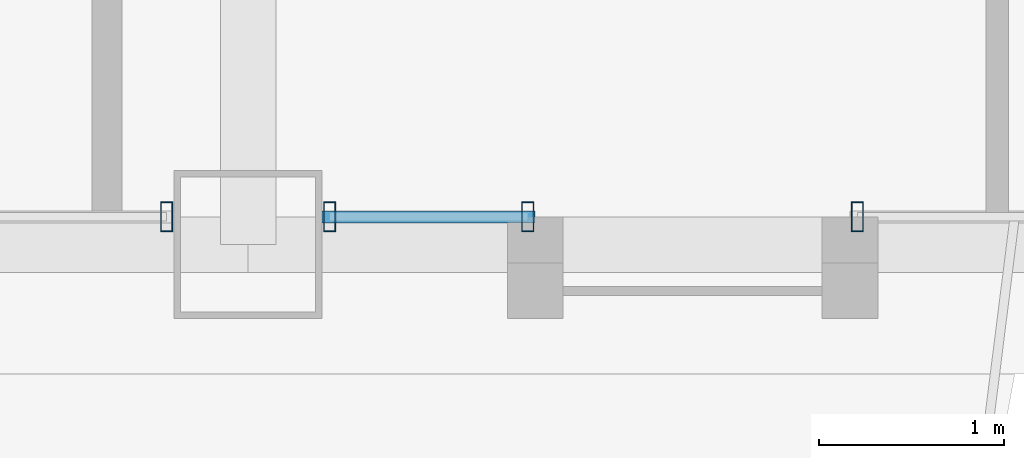
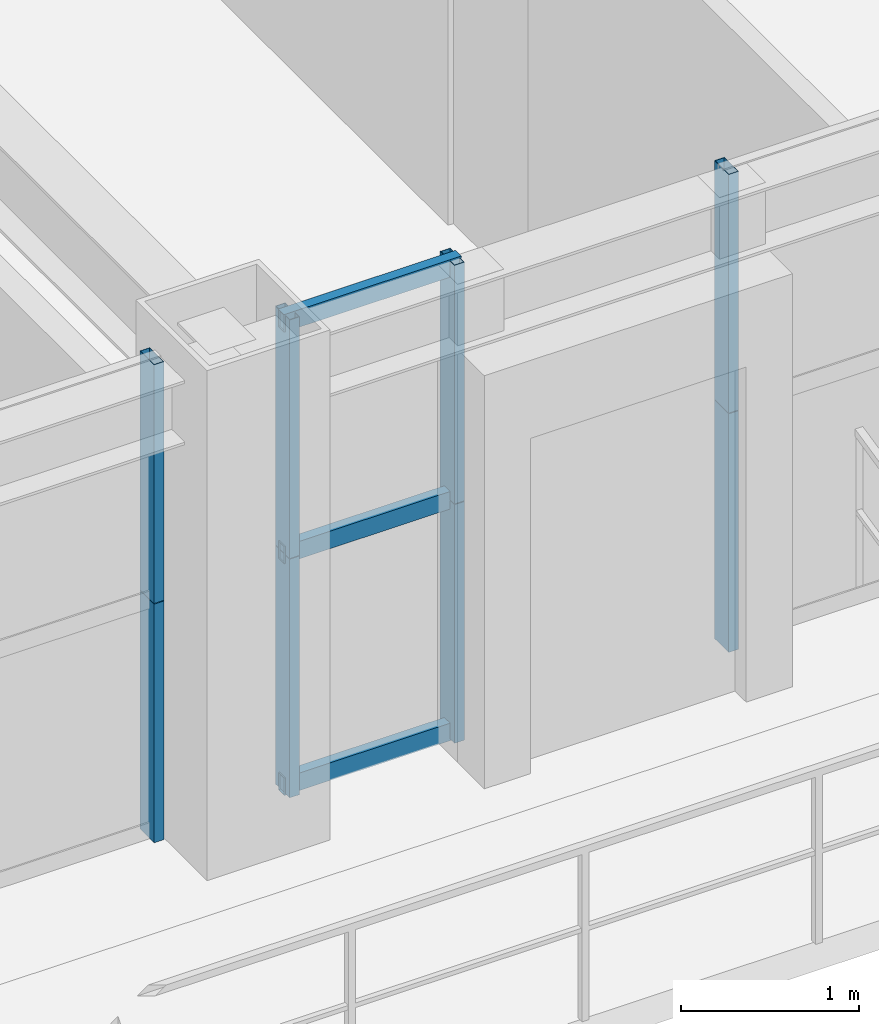
# One storey, part 10 of 45: 11 members, 3 elements without a shape of their own.
"""IFC4 building model written with IfcOpenShell, lengths in metres."""

from ifc_helpers import new_model, si_unit, direction, frame, origin, origin_2d, place, context, subcontext, project, spatial, hollow_rectangle, extrude, source, transform, mapped, material, layer, layer_set, material_profile, profile_set, type_object, element, aggregate, save


model = new_model("IFC4")

# Units and contexts
model_context = context("Model", 3, precision=1e-05, world=origin(), true_north=direction((0.0, 1.0)))
body_context = subcontext(model_context, "Body", "Model", "MODEL_VIEW")
ifc_project = project(units=[si_unit("LENGTHUNIT", "METRE"), si_unit("AREAUNIT", "SQUARE_METRE"), si_unit("VOLUMEUNIT", "CUBIC_METRE"), si_unit("PLANEANGLEUNIT", "RADIAN"), si_unit("MASSUNIT", "GRAM", prefix="KILO"), si_unit("THERMODYNAMICTEMPERATUREUNIT", "KELVIN"), si_unit("POWERUNIT", "WATT")], contexts=[model_context])

# Site, building, storey
site_placement = place(None, origin())
site = spatial("IfcSite", under=ifc_project, at=site_placement, CompositionType="ELEMENT")
building_placement = place(site_placement, origin())
building = spatial("IfcBuilding", under=site, at=building_placement, Name="Yuzanri Waterfront Tower", CompositionType="ELEMENT")
storey_placement = place(building_placement, frame((0.0, 0.0, 198.5)))
storey = spatial("IfcBuildingStorey", under=building, at=storey_placement, Name="L52", CompositionType="ELEMENT", Elevation=198.5)

# Curtain wall, members
ifc_material_1 = material(Name="Anodized Architectural Bronze", Category="metal")
ifc_layer = layer(ifc_material_1, 0.159912109375)
ifc_layer_set = layer_set([ifc_layer], Name="Anodized Architectural Bronze")
curtain_wall_type = type_object("IfcCurtainWallType", Name="Anodized Bronze Mid-Rise Residential Acoustic Unitized Curtain Wall 7200", PredefinedType="NOTDEFINED", material=ifc_layer_set)
curtain_wall_1_placement = place(storey_placement, origin())
curtain_wall_1 = element("IfcCurtainWall", 1, at=curtain_wall_1_placement, inside=storey, type_object=curtain_wall_type, Name="L52 Curtain Wall CW-L52-SL", PredefinedType="NOTDEFINED")
ifc_material_2 = material(Name="Anodized Architectural Bronze", Category="metal")
ifc_material_profile_1 = material_profile(ifc_material_2, hollow_rectangle(XDim=0.06494140625, YDim=0.159912109375, WallThickness=0.00341796875, at=origin_2d()), Name="CWM 65x160")
ifc_profile_set_1 = profile_set([ifc_material_profile_1], Name="Anodized Architectural Bronze")
member_type_1 = type_object("IfcMemberType", Name="Anodized Bronze Upper-Zone Curtain-Wall Mullion 65x160", PredefinedType="MULLION", material=ifc_profile_set_1)
shared_shape_1 = source(origin(), body_context, "Body", "SweptSolid", [
    extrude(hollow_rectangle(XDim=0.06494140625, YDim=0.159912109375, WallThickness=0.00341796875, at=origin_2d()), origin(), (0.0, 0.0, 1.0), 1.637939453125),
])
member_1_placement = place(storey_placement, frame((36.56005859375, 3.85009765625, 0.0), z_axis=(0.0, 0.0, 1.0), x_axis=(1.0, 0.0, 0.0)))
member_1 = element("IfcMember", 2, at=member_1_placement, type_object=member_type_1, Name="CW-L52-SL Lower Mullion 02", PredefinedType="MULLION", context=body_context, shape_type="MappedRepresentation", body=[
    mapped(shared_shape_1, transform((0.0, 0.0, 0.0), scale=1.0)),
])
member_2_placement = place(storey_placement, frame((36.56005859375, 3.85009765625, 1.64208984375), z_axis=(0.0, 0.0, 1.0), x_axis=(1.0, 0.0, 0.0)))
member_2 = element("IfcMember", 3, at=member_2_placement, type_object=member_type_1, Name="CW-L52-SL Upper Mullion 02", PredefinedType="MULLION", context=body_context, shape_type="MappedRepresentation", body=[
    mapped(shared_shape_1, transform((0.0, 0.0, 0.0), scale=1.0)),
])
aggregate(curtain_wall_1, [member_1, member_2])

curtain_wall_2_placement = place(storey_placement, origin())
curtain_wall_2 = element("IfcCurtainWall", 4, at=curtain_wall_2_placement, inside=storey, type_object=curtain_wall_type, Name="L52 Curtain Wall CW-L52-SR1", PredefinedType="NOTDEFINED")
member_3_placement = place(storey_placement, frame((37.43994140625, 3.85009765625, 0.0), z_axis=(0.0, 0.0, 1.0), x_axis=(1.0, 0.0, 0.0)))
member_3 = element("IfcMember", 5, at=member_3_placement, type_object=member_type_1, Name="CW-L52-SR1 Lower Mullion 00", PredefinedType="MULLION", context=body_context, shape_type="MappedRepresentation", body=[
    mapped(shared_shape_1, transform((0.0, 0.0, 0.0), scale=1.0)),
])
member_4_placement = place(storey_placement, frame((37.43994140625, 3.85009765625, 1.64208984375), z_axis=(0.0, 0.0, 1.0), x_axis=(1.0, 0.0, 0.0)))
member_4 = element("IfcMember", 6, at=member_4_placement, type_object=member_type_1, Name="CW-L52-SR1 Upper Mullion 00", PredefinedType="MULLION", context=body_context, shape_type="MappedRepresentation", body=[
    mapped(shared_shape_1, transform((0.0, 0.0, 0.0), scale=1.0)),
])
member_5_placement = place(storey_placement, frame((38.510009765625, 3.85009765625, 0.0), z_axis=(0.0, 0.0, 1.0), x_axis=(1.0, 0.0, 0.0)))
member_5 = element("IfcMember", 7, at=member_5_placement, type_object=member_type_1, Name="CW-L52-SR1 Lower Mullion 01", PredefinedType="MULLION", context=body_context, shape_type="MappedRepresentation", body=[
    mapped(shared_shape_1, transform((0.0, 0.0, 0.0), scale=1.0)),
])
member_6_placement = place(storey_placement, frame((38.510009765625, 3.85009765625, 1.64208984375), z_axis=(0.0, 0.0, 1.0), x_axis=(1.0, 0.0, 0.0)))
member_6 = element("IfcMember", 8, at=member_6_placement, type_object=member_type_1, Name="CW-L52-SR1 Upper Mullion 01", PredefinedType="MULLION", context=body_context, shape_type="MappedRepresentation", body=[
    mapped(shared_shape_1, transform((0.0, 0.0, 0.0), scale=1.0)),
])

curtain_wall_3_placement = place(storey_placement, origin())
curtain_wall_3 = element("IfcCurtainWall", 9, at=curtain_wall_3_placement, inside=storey, type_object=curtain_wall_type, Name="L52 Curtain Wall CW-L52-SR2", PredefinedType="NOTDEFINED")
member_7_placement = place(storey_placement, frame((40.2900390625, 3.85009765625, 0.0), z_axis=(0.0, 0.0, 1.0), x_axis=(1.0, 0.0, 0.0)))
member_7 = element("IfcMember", 10, at=member_7_placement, type_object=member_type_1, Name="CW-L52-SR2 Lower Mullion 00", PredefinedType="MULLION", context=body_context, shape_type="MappedRepresentation", body=[
    mapped(shared_shape_1, transform((0.0, 0.0, 0.0), scale=1.0)),
])
member_8_placement = place(storey_placement, frame((40.2900390625, 3.85009765625, 1.64208984375), z_axis=(0.0, 0.0, 1.0), x_axis=(1.0, 0.0, 0.0)))
member_8 = element("IfcMember", 11, at=member_8_placement, type_object=member_type_1, Name="CW-L52-SR2 Upper Mullion 00", PredefinedType="MULLION", context=body_context, shape_type="MappedRepresentation", body=[
    mapped(shared_shape_1, transform((0.0, 0.0, 0.0), scale=1.0)),
])
aggregate(curtain_wall_3, [member_7, member_8])

# Member
ifc_material_3 = material(Name="Anodized Architectural Bronze", Category="metal")
ifc_material_profile_2 = material_profile(ifc_material_3, hollow_rectangle(XDim=0.06494140625, YDim=0.1201171875, WallThickness=0.00341796875, at=origin_2d()), Name="CWT 65x120")
ifc_profile_set_2 = profile_set([ifc_material_profile_2], Name="Anodized Architectural Bronze")
member_type_2 = type_object("IfcMemberType", Name="Anodized Bronze Secondary Curtain-Wall Transom 65x120", PredefinedType="USERDEFINED", material=ifc_profile_set_2)
shared_shape_2 = source(origin(), body_context, "Body", "SweptSolid", [
    extrude(hollow_rectangle(XDim=0.06494140625, YDim=0.1201171875, WallThickness=0.00341796875, at=origin_2d()), origin(), (0.0, 0.0, 1.0), 1.150146484375),
])
member_9_placement = place(storey_placement, frame((37.39990234375, 3.85009765625, 0.050048828125), z_axis=(1.0, 0.0, 0.0), x_axis=(0.0, 1.0, 0.0)))
member_9 = element("IfcMember", 12, at=member_9_placement, type_object=member_type_2, Name="CW-L52-SR1 Transom 1", ObjectType="TRANSOM", PredefinedType="USERDEFINED", context=body_context, shape_type="MappedRepresentation", body=[
    mapped(shared_shape_2, transform((0.0, 0.0, 0.0), scale=1.0)),
])

member_10_placement = place(storey_placement, frame((37.39990234375, 3.85009765625, 1.639892578125), z_axis=(1.0, 0.0, 0.0), x_axis=(0.0, 1.0, 0.0)))
member_10 = element("IfcMember", 13, at=member_10_placement, type_object=member_type_2, Name="CW-L52-SR1 Transom 2", ObjectType="TRANSOM", PredefinedType="USERDEFINED", context=body_context, shape_type="MappedRepresentation", body=[
    mapped(shared_shape_2, transform((0.0, 0.0, 0.0), scale=1.0)),
])

member_11_placement = place(storey_placement, frame((37.39990234375, 3.85009765625, 3.22998046875), z_axis=(1.0, 0.0, 0.0), x_axis=(0.0, 1.0, 0.0)))
member_11 = element("IfcMember", 14, at=member_11_placement, type_object=member_type_2, Name="CW-L52-SR1 Transom 3", ObjectType="TRANSOM", PredefinedType="USERDEFINED", context=body_context, shape_type="MappedRepresentation", body=[
    mapped(shared_shape_2, transform((0.0, 0.0, 0.0), scale=1.0)),
])

aggregate(curtain_wall_2, [member_3, member_4, member_5, member_6, member_9, member_10, member_11])

save(model, "model.ifc")
